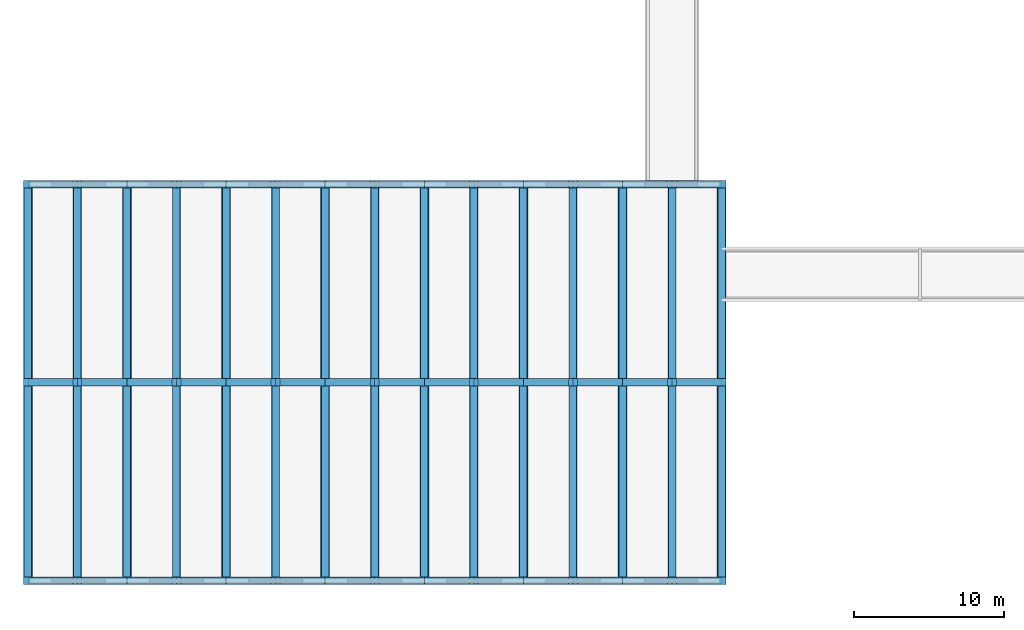
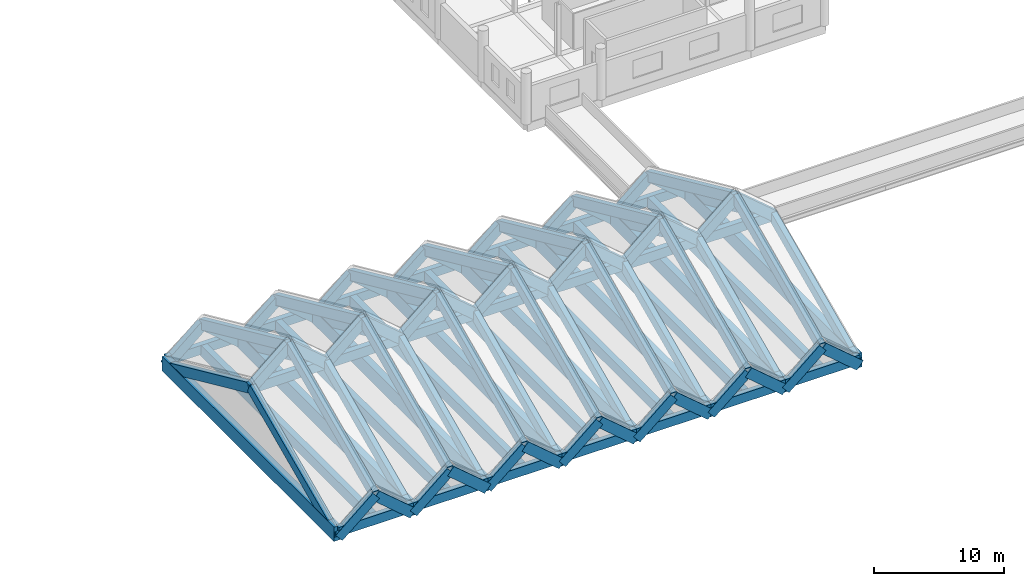
# One storey, part 6 of 76: 108 beams.
"""IFC4 building model written with IfcOpenShell, lengths in metres."""

from ifc_helpers import new_model, si_unit, direction, frame, origin, origin_2d, place, context, subcontext, project, spatial, rectangle, extrude, material, material_profile, profile_set, type_object, element, save


model = new_model("IFC4")

# Units and contexts
model_context = context("Model", 3, precision=1e-05, world=origin(), true_north=direction((0.0, 1.0)))
body_context = subcontext(model_context, "Body", "Model", "MODEL_VIEW")
ifc_project = project(units=[si_unit("LENGTHUNIT", "METRE"), si_unit("AREAUNIT", "SQUARE_METRE"), si_unit("VOLUMEUNIT", "CUBIC_METRE"), si_unit("PLANEANGLEUNIT", "RADIAN"), si_unit("MASSUNIT", "GRAM", prefix="KILO")], contexts=[model_context])

# Site, building, storey
site_placement = place(None, origin())
site = spatial("IfcSite", under=ifc_project, at=site_placement, CompositionType="ELEMENT")
building_placement = place(site_placement, origin())
building = spatial("IfcBuilding", under=site, at=building_placement, Name="Dornvale Research Institute", CompositionType="ELEMENT")
storey_placement = place(building_placement, frame((0.0, 0.0, 15.0)))
storey = spatial("IfcBuildingStorey", under=building, at=storey_placement, Name="L03", CompositionType="ELEMENT", Elevation=15.0)

# Beams
ifc_material_1 = material(Name="Concrete f'c 45 MPa (C35/45)", Category="concrete")
ifc_material_profile_1 = material_profile(ifc_material_1, rectangle(XDim=0.5, YDim=0.89990234375, at=origin_2d()), Name="RC 500x900")
ifc_profile_set_1 = profile_set([ifc_material_profile_1], Name="Concrete f'c 45 MPa (C35/45)")
beam_type_1 = type_object("IfcBeamType", Name="Beam_RC500x900_Ridge", PredefinedType="BEAM", material=ifc_profile_set_1)
beam_1_placement = place(storey_placement, frame((0.0, 13.199951171875, 5.030029296875), z_axis=(1.0, 0.0, 0.0), x_axis=(0.0, 1.0, 0.0)))
element("IfcBeam", 1, at=beam_1_placement, inside=storey, type_object=beam_type_1, Name="L03 V1 folded-plate valley spine tie #1898", PredefinedType="BEAM", context=body_context, shape_type="SweptSolid", body=[
    extrude(rectangle(XDim=0.5, YDim=0.89990234375, at=origin_2d()), origin(), (0.0, 0.0, 1.0), 6.60009765625),
])
beam_2_placement = place(storey_placement, frame((6.60009765625, 13.199951171875, 5.030029296875), z_axis=(1.0, 0.0, 0.0), x_axis=(0.0, 1.0, 0.0)))
element("IfcBeam", 2, at=beam_2_placement, inside=storey, type_object=beam_type_1, Name="L03 V1 folded-plate valley spine tie #1901", PredefinedType="BEAM", context=body_context, shape_type="SweptSolid", body=[
    extrude(rectangle(XDim=0.5, YDim=0.89990234375, at=origin_2d()), origin(), (0.0, 0.0, 1.0), 6.599853515625),
])
beam_3_placement = place(storey_placement, frame((13.199951171875, 13.199951171875, 5.030029296875), z_axis=(1.0, 0.0, 0.0), x_axis=(0.0, 1.0, 0.0)))
element("IfcBeam", 3, at=beam_3_placement, inside=storey, type_object=beam_type_1, Name="L03 V1 folded-plate valley spine tie #1904", PredefinedType="BEAM", context=body_context, shape_type="SweptSolid", body=[
    extrude(rectangle(XDim=0.5, YDim=0.89990234375, at=origin_2d()), origin(), (0.0, 0.0, 1.0), 6.60009765625),
])
beam_4_placement = place(storey_placement, frame((19.800048828125, 13.199951171875, 5.030029296875), z_axis=(1.0, 0.0, 0.0), x_axis=(0.0, 1.0, 0.0)))
element("IfcBeam", 4, at=beam_4_placement, inside=storey, type_object=beam_type_1, Name="L03 V1 folded-plate valley spine tie #1907", PredefinedType="BEAM", context=body_context, shape_type="SweptSolid", body=[
    extrude(rectangle(XDim=0.5, YDim=0.89990234375, at=origin_2d()), origin(), (0.0, 0.0, 1.0), 6.599853515625),
])
for number, where, z_axis, x_axis, name in (
    (5, (26.39990234375, 13.199951171875, 5.030029296875), (1.0, 0.0, 0.0), (0.0, 1.0, 0.0), "L03 V1 folded-plate valley spine tie #1910"),
    (6, (33.0, 13.199951171875, 5.030029296875), (1.0, 0.0, 0.0), (0.0, 1.0, 0.0), "L03 V1 folded-plate valley spine tie #1913"),
):
    element("IfcBeam", number, at=place(storey_placement, frame(where, z_axis=z_axis, x_axis=x_axis)), inside=storey, type_object=beam_type_1, Name=name, PredefinedType="BEAM", context=body_context, shape_type="SweptSolid", body=[
        extrude(rectangle(XDim=0.5, YDim=0.89990234375, at=origin_2d()), origin(), (0.0, 0.0, 1.0), 6.60009765625),
    ])
beam_5_placement = place(storey_placement, frame((39.60009765625, 13.199951171875, 5.030029296875), z_axis=(1.0, 0.0, 0.0), x_axis=(0.0, 1.0, 0.0)))
element("IfcBeam", 7, at=beam_5_placement, inside=storey, type_object=beam_type_1, Name="L03 V1 folded-plate valley spine tie #1916", PredefinedType="BEAM", context=body_context, shape_type="SweptSolid", body=[
    extrude(rectangle(XDim=0.5, YDim=0.89990234375, at=origin_2d()), origin(), (0.0, 0.0, 1.0), 6.599853515625),
])
for number, where, z_axis, x_axis, name in (
    (8, (0.0, 0.0, -0.969970703125), (0.0, 0.910365900827, 0.413804212897), (-1.0, 0.0, 0.0), "L03 V1 south valley rafter #1918"),
    (9, (0.0, 26.39990234375, -0.969970703125), (0.0, -0.910365900827, 0.413804212897), (1.0, 0.0, 0.0), "L03 V1 north valley rafter #1919"),
    (10, (6.60009765625, 0.0, -0.969970703125), (0.0, 0.910365900827, 0.413804212897), (-1.0, 0.0, 0.0), "L03 V1 south valley rafter #1921"),
    (11, (6.60009765625, 26.39990234375, -0.969970703125), (0.0, -0.910365900827, 0.413804212897), (1.0, 0.0, 0.0), "L03 V1 north valley rafter #1922"),
    (12, (13.199951171875, 0.0, -0.969970703125), (0.0, 0.910365900827, 0.413804212897), (-1.0, 0.0, 0.0), "L03 V1 south valley rafter #1924"),
    (13, (13.199951171875, 26.39990234375, -0.969970703125), (0.0, -0.910365900827, 0.413804212897), (1.0, 0.0, 0.0), "L03 V1 north valley rafter #1925"),
    (14, (19.800048828125, 0.0, -0.969970703125), (0.0, 0.910365900827, 0.413804212897), (-1.0, 0.0, 0.0), "L03 V1 south valley rafter #1927"),
    (15, (19.800048828125, 26.39990234375, -0.969970703125), (0.0, -0.910365900827, 0.413804212897), (1.0, 0.0, 0.0), "L03 V1 north valley rafter #1928"),
    (16, (26.39990234375, 0.0, -0.969970703125), (0.0, 0.910365900827, 0.413804212897), (-1.0, 0.0, 0.0), "L03 V1 south valley rafter #1930"),
    (17, (26.39990234375, 26.39990234375, -0.969970703125), (0.0, -0.910365900827, 0.413804212897), (1.0, 0.0, 0.0), "L03 V1 north valley rafter #1931"),
    (18, (33.0, 0.0, -0.969970703125), (0.0, 0.910365900827, 0.413804212897), (-1.0, 0.0, 0.0), "L03 V1 south valley rafter #1933"),
    (19, (33.0, 26.39990234375, -0.969970703125), (0.0, -0.910365900827, 0.413804212897), (1.0, 0.0, 0.0), "L03 V1 north valley rafter #1934"),
    (20, (39.60009765625, 0.0, -0.969970703125), (0.0, 0.910365900827, 0.413804212897), (-1.0, 0.0, 0.0), "L03 V1 south valley rafter #1936"),
    (21, (39.60009765625, 26.39990234375, -0.969970703125), (0.0, -0.910365900827, 0.413804212897), (1.0, 0.0, 0.0), "L03 V1 north valley rafter #1937"),
    (22, (46.199951171875, 0.0, -0.969970703125), (0.0, 0.910365900827, 0.413804212897), (-1.0, 0.0, 0.0), "L03 V1 south valley rafter #1939"),
    (23, (46.199951171875, 26.39990234375, -0.969970703125), (0.0, -0.910365900827, 0.413804212897), (1.0, 0.0, 0.0), "L03 V1 north valley rafter #1940"),
):
    element("IfcBeam", number, at=place(storey_placement, frame(where, z_axis=z_axis, x_axis=x_axis)), inside=storey, type_object=beam_type_1, Name=name, PredefinedType="BEAM", context=body_context, shape_type="SweptSolid", body=[
        extrude(rectangle(XDim=0.5, YDim=0.89990234375, at=origin_2d()), origin(), (0.0, 0.0, 1.0), 14.49951171875),
    ])
for number, where, z_axis, x_axis, name in (
    (24, (0.0, 13.199951171875, 5.030029296875), (0.762508292067, 0.0, 0.646978442089), (0.0, 1.0, 0.0), "L03 V1 folded-plate spine chord W #1940"),
    (25, (3.300048828125, 13.199951171875, 7.830078125), (0.762508292067, 0.0, -0.646978442089), (0.0, 1.0, 0.0), "L03 V1 folded-plate spine chord E #1940"),
):
    element("IfcBeam", number, at=place(storey_placement, frame(where, z_axis=z_axis, x_axis=x_axis)), inside=storey, type_object=beam_type_1, Name=name, PredefinedType="BEAM", context=body_context, shape_type="SweptSolid", body=[
        extrude(rectangle(XDim=0.5, YDim=0.89990234375, at=origin_2d()), origin(), (0.0, 0.0, 1.0), 4.327880859375),
    ])
for number, where, z_axis, x_axis, name in (
    (26, (3.300048828125, 0.0, 1.830078125), (0.0, 0.910365900827, 0.413804212897), (-1.0, 0.0, 0.0), "L03 V1 south pleat ridge rafter #1940"),
    (27, (3.300048828125, 26.39990234375, 1.830078125), (0.0, -0.910365900827, 0.413804212897), (1.0, 0.0, 0.0), "L03 V1 north pleat ridge rafter #1940"),
):
    element("IfcBeam", number, at=place(storey_placement, frame(where, z_axis=z_axis, x_axis=x_axis)), inside=storey, type_object=beam_type_1, Name=name, PredefinedType="BEAM", context=body_context, shape_type="SweptSolid", body=[
        extrude(rectangle(XDim=0.5, YDim=0.89990234375, at=origin_2d()), origin(), (0.0, 0.0, 1.0), 14.49951171875),
    ])
beam_6_placement = place(storey_placement, frame((6.60009765625, 13.199951171875, 5.030029296875), z_axis=(0.76248467794, 0.0, 0.647006271922), x_axis=(0.0, 1.0, 0.0)))
element("IfcBeam", 28, at=beam_6_placement, inside=storey, type_object=beam_type_1, Name="L03 V1 folded-plate spine chord W #1940", PredefinedType="BEAM", context=body_context, shape_type="SweptSolid", body=[
    extrude(rectangle(XDim=0.5, YDim=0.89990234375, at=origin_2d()), origin(), (0.0, 0.0, 1.0), 4.32763671875),
])
beam_7_placement = place(storey_placement, frame((9.89990234375, 13.199951171875, 7.830078125), z_axis=(0.762508292067, 0.0, -0.646978442089), x_axis=(0.0, 1.0, 0.0)))
element("IfcBeam", 29, at=beam_7_placement, inside=storey, type_object=beam_type_1, Name="L03 V1 folded-plate spine chord E #1940", PredefinedType="BEAM", context=body_context, shape_type="SweptSolid", body=[
    extrude(rectangle(XDim=0.5, YDim=0.89990234375, at=origin_2d()), origin(), (0.0, 0.0, 1.0), 4.327880859375),
])
for number, where, z_axis, x_axis, name in (
    (30, (9.89990234375, 0.0, 1.830078125), (0.0, 0.910365900827, 0.413804212897), (-1.0, 0.0, 0.0), "L03 V1 south pleat ridge rafter #1940"),
    (31, (9.89990234375, 26.39990234375, 1.830078125), (0.0, -0.910365900827, 0.413804212897), (1.0, 0.0, 0.0), "L03 V1 north pleat ridge rafter #1940"),
):
    element("IfcBeam", number, at=place(storey_placement, frame(where, z_axis=z_axis, x_axis=x_axis)), inside=storey, type_object=beam_type_1, Name=name, PredefinedType="BEAM", context=body_context, shape_type="SweptSolid", body=[
        extrude(rectangle(XDim=0.5, YDim=0.89990234375, at=origin_2d()), origin(), (0.0, 0.0, 1.0), 14.49951171875),
    ])
for number, where, z_axis, x_axis, name in (
    (32, (13.199951171875, 13.199951171875, 5.030029296875), (0.762508292067, 0.0, 0.646978442089), (0.0, 1.0, 0.0), "L03 V1 folded-plate spine chord W #1940"),
    (33, (16.5, 13.199951171875, 7.830078125), (0.762508292067, 0.0, -0.646978442089), (0.0, 1.0, 0.0), "L03 V1 folded-plate spine chord E #1940"),
):
    element("IfcBeam", number, at=place(storey_placement, frame(where, z_axis=z_axis, x_axis=x_axis)), inside=storey, type_object=beam_type_1, Name=name, PredefinedType="BEAM", context=body_context, shape_type="SweptSolid", body=[
        extrude(rectangle(XDim=0.5, YDim=0.89990234375, at=origin_2d()), origin(), (0.0, 0.0, 1.0), 4.327880859375),
    ])
for number, where, z_axis, x_axis, name in (
    (34, (16.5, 0.0, 1.830078125), (0.0, 0.910365900827, 0.413804212897), (-1.0, 0.0, 0.0), "L03 V1 south pleat ridge rafter #1940"),
    (35, (16.5, 26.39990234375, 1.830078125), (0.0, -0.910365900827, 0.413804212897), (1.0, 0.0, 0.0), "L03 V1 north pleat ridge rafter #1940"),
):
    element("IfcBeam", number, at=place(storey_placement, frame(where, z_axis=z_axis, x_axis=x_axis)), inside=storey, type_object=beam_type_1, Name=name, PredefinedType="BEAM", context=body_context, shape_type="SweptSolid", body=[
        extrude(rectangle(XDim=0.5, YDim=0.89990234375, at=origin_2d()), origin(), (0.0, 0.0, 1.0), 14.49951171875),
    ])
beam_8_placement = place(storey_placement, frame((19.800048828125, 13.199951171875, 5.030029296875), z_axis=(0.762508292067, 0.0, 0.646978442089), x_axis=(0.0, 1.0, 0.0)))
element("IfcBeam", 36, at=beam_8_placement, inside=storey, type_object=beam_type_1, Name="L03 V1 folded-plate spine chord W #1940", PredefinedType="BEAM", context=body_context, shape_type="SweptSolid", body=[
    extrude(rectangle(XDim=0.5, YDim=0.89990234375, at=origin_2d()), origin(), (0.0, 0.0, 1.0), 4.327880859375),
])
beam_9_placement = place(storey_placement, frame((23.10009765625, 13.199951171875, 7.830078125), z_axis=(0.76248467794, 0.0, -0.647006271922), x_axis=(0.0, 1.0, 0.0)))
element("IfcBeam", 37, at=beam_9_placement, inside=storey, type_object=beam_type_1, Name="L03 V1 folded-plate spine chord E #1940", PredefinedType="BEAM", context=body_context, shape_type="SweptSolid", body=[
    extrude(rectangle(XDim=0.5, YDim=0.89990234375, at=origin_2d()), origin(), (0.0, 0.0, 1.0), 4.32763671875),
])
for number, where, z_axis, x_axis, name in (
    (38, (23.10009765625, 0.0, 1.830078125), (0.0, 0.910365900827, 0.413804212897), (-1.0, 0.0, 0.0), "L03 V1 south pleat ridge rafter #1940"),
    (39, (23.10009765625, 26.39990234375, 1.830078125), (0.0, -0.910365900827, 0.413804212897), (1.0, 0.0, 0.0), "L03 V1 north pleat ridge rafter #1940"),
):
    element("IfcBeam", number, at=place(storey_placement, frame(where, z_axis=z_axis, x_axis=x_axis)), inside=storey, type_object=beam_type_1, Name=name, PredefinedType="BEAM", context=body_context, shape_type="SweptSolid", body=[
        extrude(rectangle(XDim=0.5, YDim=0.89990234375, at=origin_2d()), origin(), (0.0, 0.0, 1.0), 14.49951171875),
    ])
for number, where, z_axis, x_axis, name in (
    (40, (26.39990234375, 13.199951171875, 5.030029296875), (0.762508292067, 0.0, 0.646978442089), (0.0, 1.0, 0.0), "L03 V1 folded-plate spine chord W #1940"),
    (41, (29.699951171875, 13.199951171875, 7.830078125), (0.762508292067, 0.0, -0.646978442089), (0.0, 1.0, 0.0), "L03 V1 folded-plate spine chord E #1940"),
):
    element("IfcBeam", number, at=place(storey_placement, frame(where, z_axis=z_axis, x_axis=x_axis)), inside=storey, type_object=beam_type_1, Name=name, PredefinedType="BEAM", context=body_context, shape_type="SweptSolid", body=[
        extrude(rectangle(XDim=0.5, YDim=0.89990234375, at=origin_2d()), origin(), (0.0, 0.0, 1.0), 4.327880859375),
    ])
for number, where, z_axis, x_axis, name in (
    (42, (29.699951171875, 0.0, 1.830078125), (0.0, 0.910365900827, 0.413804212897), (-1.0, 0.0, 0.0), "L03 V1 south pleat ridge rafter #1940"),
    (43, (29.699951171875, 26.39990234375, 1.830078125), (0.0, -0.910365900827, 0.413804212897), (1.0, 0.0, 0.0), "L03 V1 north pleat ridge rafter #1940"),
):
    element("IfcBeam", number, at=place(storey_placement, frame(where, z_axis=z_axis, x_axis=x_axis)), inside=storey, type_object=beam_type_1, Name=name, PredefinedType="BEAM", context=body_context, shape_type="SweptSolid", body=[
        extrude(rectangle(XDim=0.5, YDim=0.89990234375, at=origin_2d()), origin(), (0.0, 0.0, 1.0), 14.49951171875),
    ])
for number, where, z_axis, x_axis, name in (
    (44, (33.0, 13.199951171875, 5.030029296875), (0.762508292067, 0.0, 0.646978442089), (0.0, 1.0, 0.0), "L03 V1 folded-plate spine chord W #1940"),
    (45, (36.300048828125, 13.199951171875, 7.830078125), (0.762508292067, 0.0, -0.646978442089), (0.0, 1.0, 0.0), "L03 V1 folded-plate spine chord E #1940"),
):
    element("IfcBeam", number, at=place(storey_placement, frame(where, z_axis=z_axis, x_axis=x_axis)), inside=storey, type_object=beam_type_1, Name=name, PredefinedType="BEAM", context=body_context, shape_type="SweptSolid", body=[
        extrude(rectangle(XDim=0.5, YDim=0.89990234375, at=origin_2d()), origin(), (0.0, 0.0, 1.0), 4.327880859375),
    ])
for number, where, z_axis, x_axis, name in (
    (46, (36.300048828125, 0.0, 1.830078125), (0.0, 0.910365900827, 0.413804212897), (-1.0, 0.0, 0.0), "L03 V1 south pleat ridge rafter #1940"),
    (47, (36.300048828125, 26.39990234375, 1.830078125), (0.0, -0.910365900827, 0.413804212897), (1.0, 0.0, 0.0), "L03 V1 north pleat ridge rafter #1940"),
):
    element("IfcBeam", number, at=place(storey_placement, frame(where, z_axis=z_axis, x_axis=x_axis)), inside=storey, type_object=beam_type_1, Name=name, PredefinedType="BEAM", context=body_context, shape_type="SweptSolid", body=[
        extrude(rectangle(XDim=0.5, YDim=0.89990234375, at=origin_2d()), origin(), (0.0, 0.0, 1.0), 14.49951171875),
    ])
beam_10_placement = place(storey_placement, frame((39.60009765625, 13.199951171875, 5.030029296875), z_axis=(0.76248467794, 0.0, 0.647006271922), x_axis=(0.0, 1.0, 0.0)))
element("IfcBeam", 48, at=beam_10_placement, inside=storey, type_object=beam_type_1, Name="L03 V1 folded-plate spine chord W #1940", PredefinedType="BEAM", context=body_context, shape_type="SweptSolid", body=[
    extrude(rectangle(XDim=0.5, YDim=0.89990234375, at=origin_2d()), origin(), (0.0, 0.0, 1.0), 4.32763671875),
])
beam_11_placement = place(storey_placement, frame((42.89990234375, 13.199951171875, 7.830078125), z_axis=(0.762508292067, 0.0, -0.646978442089), x_axis=(0.0, 1.0, 0.0)))
element("IfcBeam", 49, at=beam_11_placement, inside=storey, type_object=beam_type_1, Name="L03 V1 folded-plate spine chord E #1940", PredefinedType="BEAM", context=body_context, shape_type="SweptSolid", body=[
    extrude(rectangle(XDim=0.5, YDim=0.89990234375, at=origin_2d()), origin(), (0.0, 0.0, 1.0), 4.327880859375),
])
for number, where, z_axis, x_axis, name in (
    (50, (42.89990234375, 0.0, 1.830078125), (0.0, 0.910365900827, 0.413804212897), (-1.0, 0.0, 0.0), "L03 V1 south pleat ridge rafter #1940"),
    (51, (42.89990234375, 26.39990234375, 1.830078125), (0.0, -0.910365900827, 0.413804212897), (1.0, 0.0, 0.0), "L03 V1 north pleat ridge rafter #1940"),
):
    element("IfcBeam", number, at=place(storey_placement, frame(where, z_axis=z_axis, x_axis=x_axis)), inside=storey, type_object=beam_type_1, Name=name, PredefinedType="BEAM", context=body_context, shape_type="SweptSolid", body=[
        extrude(rectangle(XDim=0.5, YDim=0.89990234375, at=origin_2d()), origin(), (0.0, 0.0, 1.0), 14.49951171875),
    ])
ifc_material_2 = material(Name="Concrete f'c 45 MPa (C35/45)", Category="concrete")
ifc_material_profile_2 = material_profile(ifc_material_2, rectangle(XDim=0.550048828125, YDim=1.0, at=origin_2d()), Name="RC 550x1000")
ifc_profile_set_2 = profile_set([ifc_material_profile_2], Name="Concrete f'c 45 MPa (C35/45)")
beam_type_2 = type_object("IfcBeamType", Name="Beam_RC550x1000_Girder", PredefinedType="BEAM", material=ifc_profile_set_2)
for number, where, z_axis, x_axis, name in (
    (52, (3.300048828125, 0.0, -0.5), (0.0, 1.0, 0.0), (-1.0, 0.0, 0.0), "L03 V1 mid-bay tie beam #1940"),
    (53, (9.89990234375, 0.0, -0.5), (0.0, 1.0, 0.0), (-1.0, 0.0, 0.0), "L03 V1 mid-bay tie beam #1940"),
    (54, (16.5, 0.0, -0.5), (0.0, 1.0, 0.0), (-1.0, 0.0, 0.0), "L03 V1 mid-bay tie beam #1940"),
    (55, (23.10009765625, 0.0, -0.5), (0.0, 1.0, 0.0), (-1.0, 0.0, 0.0), "L03 V1 mid-bay tie beam #1940"),
    (56, (29.699951171875, 0.0, -0.5), (0.0, 1.0, 0.0), (-1.0, 0.0, 0.0), "L03 V1 mid-bay tie beam #1940"),
    (57, (36.300048828125, 0.0, -0.5), (0.0, 1.0, 0.0), (-1.0, 0.0, 0.0), "L03 V1 mid-bay tie beam #1940"),
    (58, (42.89990234375, 0.0, -0.5), (0.0, 1.0, 0.0), (-1.0, 0.0, 0.0), "L03 V1 mid-bay tie beam #1940"),
):
    element("IfcBeam", number, at=place(storey_placement, frame(where, z_axis=z_axis, x_axis=x_axis)), inside=storey, type_object=beam_type_2, Name=name, PredefinedType="BEAM", context=body_context, shape_type="SweptSolid", body=[
        extrude(rectangle(XDim=0.550048828125, YDim=1.0, at=origin_2d()), origin(), (0.0, 0.0, 1.0), 26.39990234375),
    ])
ifc_material_3 = material(Name="Concrete f'c 45 MPa (C35/45)", Category="concrete")
ifc_material_profile_3 = material_profile(ifc_material_3, rectangle(XDim=0.449951171875, YDim=0.85009765625, at=origin_2d()), Name="RC 450x850")
ifc_profile_set_3 = profile_set([ifc_material_profile_3], Name="Concrete f'c 45 MPa (C35/45)")
beam_type_3 = type_object("IfcBeamType", Name="Spandrel_RC450x850_Ext", PredefinedType="SPANDREL", material=ifc_profile_set_3)
for number, where, z_axis, x_axis, name in (
    (59, (0.0, 0.0, -0.425048828125), (1.0, 0.0, 0.0), (0.0, 1.0, 0.0), "L03 V1 south eave beam #1896"),
    (60, (0.0, 26.39990234375, -0.425048828125), (1.0, 0.0, 0.0), (0.0, 1.0, 0.0), "L03 V1 north eave beam #1897"),
):
    element("IfcBeam", number, at=place(storey_placement, frame(where, z_axis=z_axis, x_axis=x_axis)), inside=storey, type_object=beam_type_3, Name=name, PredefinedType="SPANDREL", context=body_context, shape_type="SweptSolid", body=[
        extrude(rectangle(XDim=0.449951171875, YDim=0.85009765625, at=origin_2d()), origin(), (0.0, 0.0, 1.0), 6.60009765625),
    ])
for number, where, z_axis, x_axis, name in (
    (61, (6.60009765625, 0.0, -0.425048828125), (1.0, 0.0, 0.0), (0.0, 1.0, 0.0), "L03 V1 south eave beam #1899"),
    (62, (6.60009765625, 26.39990234375, -0.425048828125), (1.0, 0.0, 0.0), (0.0, 1.0, 0.0), "L03 V1 north eave beam #1900"),
):
    element("IfcBeam", number, at=place(storey_placement, frame(where, z_axis=z_axis, x_axis=x_axis)), inside=storey, type_object=beam_type_3, Name=name, PredefinedType="SPANDREL", context=body_context, shape_type="SweptSolid", body=[
        extrude(rectangle(XDim=0.449951171875, YDim=0.85009765625, at=origin_2d()), origin(), (0.0, 0.0, 1.0), 6.599853515625),
    ])
for number, where, z_axis, x_axis, name in (
    (63, (13.199951171875, 0.0, -0.425048828125), (1.0, 0.0, 0.0), (0.0, 1.0, 0.0), "L03 V1 south eave beam #1902"),
    (64, (13.199951171875, 26.39990234375, -0.425048828125), (1.0, 0.0, 0.0), (0.0, 1.0, 0.0), "L03 V1 north eave beam #1903"),
):
    element("IfcBeam", number, at=place(storey_placement, frame(where, z_axis=z_axis, x_axis=x_axis)), inside=storey, type_object=beam_type_3, Name=name, PredefinedType="SPANDREL", context=body_context, shape_type="SweptSolid", body=[
        extrude(rectangle(XDim=0.449951171875, YDim=0.85009765625, at=origin_2d()), origin(), (0.0, 0.0, 1.0), 6.60009765625),
    ])
for number, where, z_axis, x_axis, name in (
    (65, (19.800048828125, 0.0, -0.425048828125), (1.0, 0.0, 0.0), (0.0, 1.0, 0.0), "L03 V1 south eave beam #1905"),
    (66, (19.800048828125, 26.39990234375, -0.425048828125), (1.0, 0.0, 0.0), (0.0, 1.0, 0.0), "L03 V1 north eave beam #1906"),
):
    element("IfcBeam", number, at=place(storey_placement, frame(where, z_axis=z_axis, x_axis=x_axis)), inside=storey, type_object=beam_type_3, Name=name, PredefinedType="SPANDREL", context=body_context, shape_type="SweptSolid", body=[
        extrude(rectangle(XDim=0.449951171875, YDim=0.85009765625, at=origin_2d()), origin(), (0.0, 0.0, 1.0), 6.599853515625),
    ])
for number, where, z_axis, x_axis, name in (
    (67, (26.39990234375, 0.0, -0.425048828125), (1.0, 0.0, 0.0), (0.0, 1.0, 0.0), "L03 V1 south eave beam #1908"),
    (68, (26.39990234375, 26.39990234375, -0.425048828125), (1.0, 0.0, 0.0), (0.0, 1.0, 0.0), "L03 V1 north eave beam #1909"),
    (69, (33.0, 0.0, -0.425048828125), (1.0, 0.0, 0.0), (0.0, 1.0, 0.0), "L03 V1 south eave beam #1911"),
    (70, (33.0, 26.39990234375, -0.425048828125), (1.0, 0.0, 0.0), (0.0, 1.0, 0.0), "L03 V1 north eave beam #1912"),
):
    element("IfcBeam", number, at=place(storey_placement, frame(where, z_axis=z_axis, x_axis=x_axis)), inside=storey, type_object=beam_type_3, Name=name, PredefinedType="SPANDREL", context=body_context, shape_type="SweptSolid", body=[
        extrude(rectangle(XDim=0.449951171875, YDim=0.85009765625, at=origin_2d()), origin(), (0.0, 0.0, 1.0), 6.60009765625),
    ])
for number, where, z_axis, x_axis, name in (
    (71, (39.60009765625, 0.0, -0.425048828125), (1.0, 0.0, 0.0), (0.0, 1.0, 0.0), "L03 V1 south eave beam #1914"),
    (72, (39.60009765625, 26.39990234375, -0.425048828125), (1.0, 0.0, 0.0), (0.0, 1.0, 0.0), "L03 V1 north eave beam #1915"),
):
    element("IfcBeam", number, at=place(storey_placement, frame(where, z_axis=z_axis, x_axis=x_axis)), inside=storey, type_object=beam_type_3, Name=name, PredefinedType="SPANDREL", context=body_context, shape_type="SweptSolid", body=[
        extrude(rectangle(XDim=0.449951171875, YDim=0.85009765625, at=origin_2d()), origin(), (0.0, 0.0, 1.0), 6.599853515625),
    ])
ifc_material_4 = material(Name="Concrete f'c 45 MPa (C35/45)", Category="concrete")
ifc_material_profile_4 = material_profile(ifc_material_4, rectangle(XDim=0.5, YDim=0.89990234375, at=origin_2d()), Name="RC 500x900")
ifc_profile_set_4 = profile_set([ifc_material_profile_4], Name="Concrete f'c 45 MPa (C35/45)")
beam_type_4 = type_object("IfcBeamType", Name="Spandrel_RC500x900_Pleat", PredefinedType="SPANDREL", material=ifc_profile_set_4)
for number, where, z_axis, x_axis, name in (
    (73, (0.0, 0.0, -0.969970703125), (0.762508292067, 0.0, 0.646978442089), (0.0, 1.0, 0.0), "L03 V1 pleated eave chord W #1940"),
    (74, (3.300048828125, 0.0, 1.830078125), (0.762508292067, 0.0, -0.646978442089), (0.0, 1.0, 0.0), "L03 V1 pleated eave chord E #1940"),
    (75, (0.0, 26.39990234375, -0.969970703125), (0.762508292067, 0.0, 0.646978442089), (0.0, 1.0, 0.0), "L03 V1 pleated eave chord W #1940"),
    (76, (3.300048828125, 26.39990234375, 1.830078125), (0.762508292067, 0.0, -0.646978442089), (0.0, 1.0, 0.0), "L03 V1 pleated eave chord E #1940"),
):
    element("IfcBeam", number, at=place(storey_placement, frame(where, z_axis=z_axis, x_axis=x_axis)), inside=storey, type_object=beam_type_4, Name=name, PredefinedType="SPANDREL", context=body_context, shape_type="SweptSolid", body=[
        extrude(rectangle(XDim=0.5, YDim=0.89990234375, at=origin_2d()), origin(), (0.0, 0.0, 1.0), 4.327880859375),
    ])
beam_12_placement = place(storey_placement, frame((6.60009765625, 0.0, -0.969970703125), z_axis=(0.76248467794, 0.0, 0.647006271922), x_axis=(0.0, 1.0, 0.0)))
element("IfcBeam", 77, at=beam_12_placement, inside=storey, type_object=beam_type_4, Name="L03 V1 pleated eave chord W #1940", PredefinedType="SPANDREL", context=body_context, shape_type="SweptSolid", body=[
    extrude(rectangle(XDim=0.5, YDim=0.89990234375, at=origin_2d()), origin(), (0.0, 0.0, 1.0), 4.32763671875),
])
beam_13_placement = place(storey_placement, frame((9.89990234375, 0.0, 1.830078125), z_axis=(0.762508292067, 0.0, -0.646978442089), x_axis=(0.0, 1.0, 0.0)))
element("IfcBeam", 78, at=beam_13_placement, inside=storey, type_object=beam_type_4, Name="L03 V1 pleated eave chord E #1940", PredefinedType="SPANDREL", context=body_context, shape_type="SweptSolid", body=[
    extrude(rectangle(XDim=0.5, YDim=0.89990234375, at=origin_2d()), origin(), (0.0, 0.0, 1.0), 4.327880859375),
])
beam_14_placement = place(storey_placement, frame((6.60009765625, 26.39990234375, -0.969970703125), z_axis=(0.76248467794, 0.0, 0.647006271922), x_axis=(0.0, 1.0, 0.0)))
element("IfcBeam", 79, at=beam_14_placement, inside=storey, type_object=beam_type_4, Name="L03 V1 pleated eave chord W #1940", PredefinedType="SPANDREL", context=body_context, shape_type="SweptSolid", body=[
    extrude(rectangle(XDim=0.5, YDim=0.89990234375, at=origin_2d()), origin(), (0.0, 0.0, 1.0), 4.32763671875),
])
for number, where, z_axis, x_axis, name in (
    (80, (9.89990234375, 26.39990234375, 1.830078125), (0.762508292067, 0.0, -0.646978442089), (0.0, 1.0, 0.0), "L03 V1 pleated eave chord E #1940"),
    (81, (13.199951171875, 0.0, -0.969970703125), (0.762508292067, 0.0, 0.646978442089), (0.0, 1.0, 0.0), "L03 V1 pleated eave chord W #1940"),
    (82, (16.5, 0.0, 1.830078125), (0.762508292067, 0.0, -0.646978442089), (0.0, 1.0, 0.0), "L03 V1 pleated eave chord E #1940"),
    (83, (13.199951171875, 26.39990234375, -0.969970703125), (0.762508292067, 0.0, 0.646978442089), (0.0, 1.0, 0.0), "L03 V1 pleated eave chord W #1940"),
    (84, (16.5, 26.39990234375, 1.830078125), (0.762508292067, 0.0, -0.646978442089), (0.0, 1.0, 0.0), "L03 V1 pleated eave chord E #1940"),
    (85, (19.800048828125, 0.0, -0.969970703125), (0.762508292067, 0.0, 0.646978442089), (0.0, 1.0, 0.0), "L03 V1 pleated eave chord W #1940"),
):
    element("IfcBeam", number, at=place(storey_placement, frame(where, z_axis=z_axis, x_axis=x_axis)), inside=storey, type_object=beam_type_4, Name=name, PredefinedType="SPANDREL", context=body_context, shape_type="SweptSolid", body=[
        extrude(rectangle(XDim=0.5, YDim=0.89990234375, at=origin_2d()), origin(), (0.0, 0.0, 1.0), 4.327880859375),
    ])
beam_15_placement = place(storey_placement, frame((23.10009765625, 0.0, 1.830078125), z_axis=(0.76248467794, 0.0, -0.647006271922), x_axis=(0.0, 1.0, 0.0)))
element("IfcBeam", 86, at=beam_15_placement, inside=storey, type_object=beam_type_4, Name="L03 V1 pleated eave chord E #1940", PredefinedType="SPANDREL", context=body_context, shape_type="SweptSolid", body=[
    extrude(rectangle(XDim=0.5, YDim=0.89990234375, at=origin_2d()), origin(), (0.0, 0.0, 1.0), 4.32763671875),
])
beam_16_placement = place(storey_placement, frame((19.800048828125, 26.39990234375, -0.969970703125), z_axis=(0.762508292067, 0.0, 0.646978442089), x_axis=(0.0, 1.0, 0.0)))
element("IfcBeam", 87, at=beam_16_placement, inside=storey, type_object=beam_type_4, Name="L03 V1 pleated eave chord W #1940", PredefinedType="SPANDREL", context=body_context, shape_type="SweptSolid", body=[
    extrude(rectangle(XDim=0.5, YDim=0.89990234375, at=origin_2d()), origin(), (0.0, 0.0, 1.0), 4.327880859375),
])
beam_17_placement = place(storey_placement, frame((23.10009765625, 26.39990234375, 1.830078125), z_axis=(0.76248467794, 0.0, -0.647006271922), x_axis=(0.0, 1.0, 0.0)))
element("IfcBeam", 88, at=beam_17_placement, inside=storey, type_object=beam_type_4, Name="L03 V1 pleated eave chord E #1940", PredefinedType="SPANDREL", context=body_context, shape_type="SweptSolid", body=[
    extrude(rectangle(XDim=0.5, YDim=0.89990234375, at=origin_2d()), origin(), (0.0, 0.0, 1.0), 4.32763671875),
])
for number, where, z_axis, x_axis, name in (
    (89, (26.39990234375, 0.0, -0.969970703125), (0.762508292067, 0.0, 0.646978442089), (0.0, 1.0, 0.0), "L03 V1 pleated eave chord W #1940"),
    (90, (29.699951171875, 0.0, 1.830078125), (0.762508292067, 0.0, -0.646978442089), (0.0, 1.0, 0.0), "L03 V1 pleated eave chord E #1940"),
    (91, (26.39990234375, 26.39990234375, -0.969970703125), (0.762508292067, 0.0, 0.646978442089), (0.0, 1.0, 0.0), "L03 V1 pleated eave chord W #1940"),
    (92, (29.699951171875, 26.39990234375, 1.830078125), (0.762508292067, 0.0, -0.646978442089), (0.0, 1.0, 0.0), "L03 V1 pleated eave chord E #1940"),
    (93, (33.0, 0.0, -0.969970703125), (0.762508292067, 0.0, 0.646978442089), (0.0, 1.0, 0.0), "L03 V1 pleated eave chord W #1940"),
    (94, (36.300048828125, 0.0, 1.830078125), (0.762508292067, 0.0, -0.646978442089), (0.0, 1.0, 0.0), "L03 V1 pleated eave chord E #1940"),
    (95, (33.0, 26.39990234375, -0.969970703125), (0.762508292067, 0.0, 0.646978442089), (0.0, 1.0, 0.0), "L03 V1 pleated eave chord W #1940"),
    (96, (36.300048828125, 26.39990234375, 1.830078125), (0.762508292067, 0.0, -0.646978442089), (0.0, 1.0, 0.0), "L03 V1 pleated eave chord E #1940"),
):
    element("IfcBeam", number, at=place(storey_placement, frame(where, z_axis=z_axis, x_axis=x_axis)), inside=storey, type_object=beam_type_4, Name=name, PredefinedType="SPANDREL", context=body_context, shape_type="SweptSolid", body=[
        extrude(rectangle(XDim=0.5, YDim=0.89990234375, at=origin_2d()), origin(), (0.0, 0.0, 1.0), 4.327880859375),
    ])
beam_18_placement = place(storey_placement, frame((39.60009765625, 0.0, -0.969970703125), z_axis=(0.76248467794, 0.0, 0.647006271922), x_axis=(0.0, 1.0, 0.0)))
element("IfcBeam", 97, at=beam_18_placement, inside=storey, type_object=beam_type_4, Name="L03 V1 pleated eave chord W #1940", PredefinedType="SPANDREL", context=body_context, shape_type="SweptSolid", body=[
    extrude(rectangle(XDim=0.5, YDim=0.89990234375, at=origin_2d()), origin(), (0.0, 0.0, 1.0), 4.32763671875),
])
beam_19_placement = place(storey_placement, frame((42.89990234375, 0.0, 1.830078125), z_axis=(0.762508292067, 0.0, -0.646978442089), x_axis=(0.0, 1.0, 0.0)))
element("IfcBeam", 98, at=beam_19_placement, inside=storey, type_object=beam_type_4, Name="L03 V1 pleated eave chord E #1940", PredefinedType="SPANDREL", context=body_context, shape_type="SweptSolid", body=[
    extrude(rectangle(XDim=0.5, YDim=0.89990234375, at=origin_2d()), origin(), (0.0, 0.0, 1.0), 4.327880859375),
])
beam_20_placement = place(storey_placement, frame((39.60009765625, 26.39990234375, -0.969970703125), z_axis=(0.76248467794, 0.0, 0.647006271922), x_axis=(0.0, 1.0, 0.0)))
element("IfcBeam", 99, at=beam_20_placement, inside=storey, type_object=beam_type_4, Name="L03 V1 pleated eave chord W #1940", PredefinedType="SPANDREL", context=body_context, shape_type="SweptSolid", body=[
    extrude(rectangle(XDim=0.5, YDim=0.89990234375, at=origin_2d()), origin(), (0.0, 0.0, 1.0), 4.32763671875),
])
beam_21_placement = place(storey_placement, frame((42.89990234375, 26.39990234375, 1.830078125), z_axis=(0.762508292067, 0.0, -0.646978442089), x_axis=(0.0, 1.0, 0.0)))
element("IfcBeam", 100, at=beam_21_placement, inside=storey, type_object=beam_type_4, Name="L03 V1 pleated eave chord E #1940", PredefinedType="SPANDREL", context=body_context, shape_type="SweptSolid", body=[
    extrude(rectangle(XDim=0.5, YDim=0.89990234375, at=origin_2d()), origin(), (0.0, 0.0, 1.0), 4.327880859375),
])
ifc_material_5 = material(Name="Concrete f'c 50 MPa (C40/50)", Category="concrete")
ifc_material_profile_5 = material_profile(ifc_material_5, rectangle(XDim=0.60009765625, YDim=1.35009765625, at=origin_2d()), Name="RC 600x1350")
ifc_profile_set_5 = profile_set([ifc_material_profile_5], Name="Concrete f'c 50 MPa (C40/50)")
beam_type_5 = type_object("IfcBeamType", Name="TBeam_RC600x1350_Tie", PredefinedType="T_BEAM", material=ifc_profile_set_5)
for number, where, z_axis, x_axis, name in (
    (101, (0.0, 0.0, -0.675048828125), (0.0, 1.0, 0.0), (-1.0, 0.0, 0.0), "L03 V1 folded-plate tie girder #1917"),
    (102, (6.60009765625, 0.0, -0.675048828125), (0.0, 1.0, 0.0), (-1.0, 0.0, 0.0), "L03 V1 folded-plate tie girder #1920"),
    (103, (13.199951171875, 0.0, -0.675048828125), (0.0, 1.0, 0.0), (-1.0, 0.0, 0.0), "L03 V1 folded-plate tie girder #1923"),
    (104, (19.800048828125, 0.0, -0.675048828125), (0.0, 1.0, 0.0), (-1.0, 0.0, 0.0), "L03 V1 folded-plate tie girder #1926"),
    (105, (26.39990234375, 0.0, -0.675048828125), (0.0, 1.0, 0.0), (-1.0, 0.0, 0.0), "L03 V1 folded-plate tie girder #1929"),
    (106, (33.0, 0.0, -0.675048828125), (0.0, 1.0, 0.0), (-1.0, 0.0, 0.0), "L03 V1 folded-plate tie girder #1932"),
    (107, (39.60009765625, 0.0, -0.675048828125), (0.0, 1.0, 0.0), (-1.0, 0.0, 0.0), "L03 V1 folded-plate tie girder #1935"),
    (108, (46.199951171875, 0.0, -0.675048828125), (0.0, 1.0, 0.0), (-1.0, 0.0, 0.0), "L03 V1 folded-plate tie girder #1938"),
):
    element("IfcBeam", number, at=place(storey_placement, frame(where, z_axis=z_axis, x_axis=x_axis)), inside=storey, type_object=beam_type_5, Name=name, PredefinedType="T_BEAM", context=body_context, shape_type="SweptSolid", body=[
        extrude(rectangle(XDim=0.60009765625, YDim=1.35009765625, at=origin_2d()), origin(), (0.0, 0.0, 1.0), 26.39990234375),
    ])

save(model, "model.ifc")
